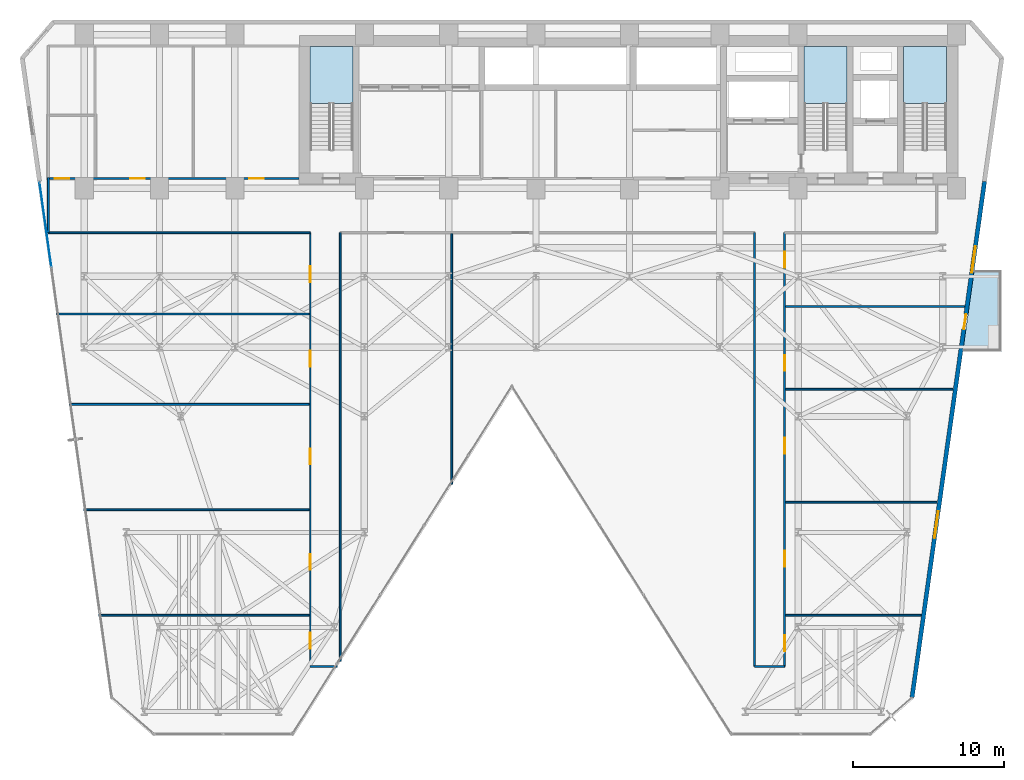
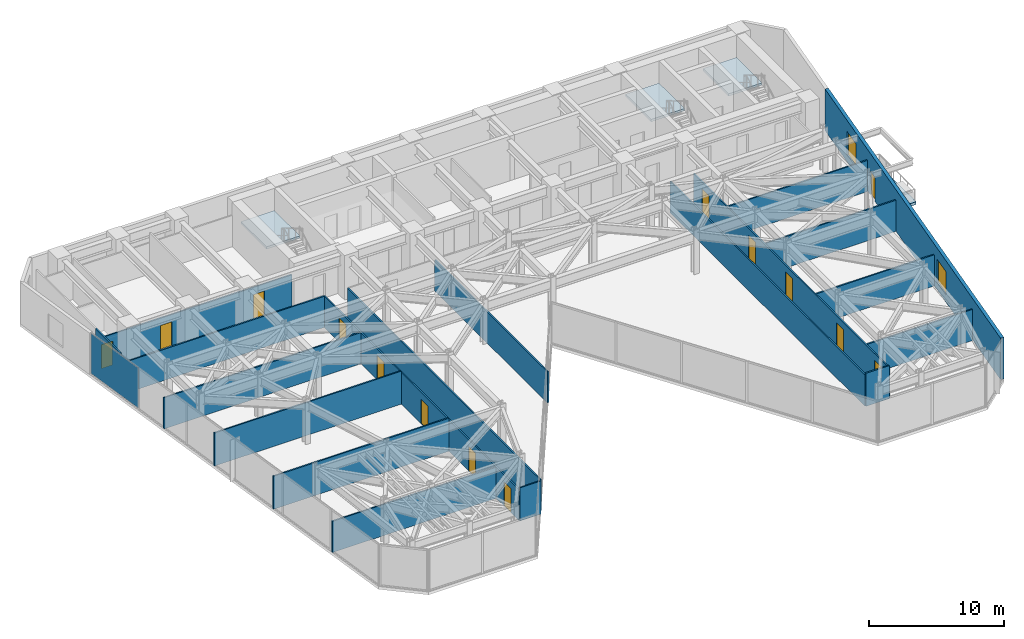
# One storey, part 19 of 25: 19 walls, 14 doors, 4 slabs, 2 windows, 1 plate, 16 openings, 4 elements without a shape of their own.
"""IFC4 building model written with IfcOpenShell, lengths in metres."""

import ifcopenshell
import ifcopenshell.guid

model = None  # the IFC model being written
_history = None  # IfcOwnerHistory: only IFC2X3 demands one
_inside = {}  # id of a spatial element -> (the spatial element, [elements in it])
_under = {}  # id of a project, library or spatial element -> (it, [spatial elements below it])
_declared = {}  # id of a project -> (the project, [libraries it declares])
_typed = {}  # id of a type object -> (the type object, [elements of that type])
_made_of = {}  # id of a material, layer set ... -> (it, [elements and type objects made of it])


def new_model(schema):
    """Start an empty IFC model of exactly this schema.

    Asked for "IFC4X3", IfcOpenShell would pick the latest addendum, in which some entities
    have other attributes; the version numbers below select the first issue.
    IFC2X3 requires an IfcOwnerHistory on every rooted entity: one is made here for all.
    """
    global model, _history
    if schema == "IFC4X3":
        model = ifcopenshell.file(schema_version=(4, 3, 0, 0))
    else:
        model = ifcopenshell.file(schema=schema)
    _inside.clear()
    _under.clear()
    _declared.clear()
    _typed.clear()
    _made_of.clear()
    _history = None
    if model.schema == "IFC2X3":
        org = make("IfcOrganization", Name="unknown")
        user = make(
            "IfcPersonAndOrganization",
            ThePerson=make("IfcPerson", FamilyName="unknown"),
            TheOrganization=org,
        )
        app = make(
            "IfcApplication",
            ApplicationDeveloper=org,
            Version="unknown",
            ApplicationFullName="unknown",
            ApplicationIdentifier="unknown",
        )
        _history = make(
            "IfcOwnerHistory",
            OwningUser=user,
            OwningApplication=app,
            ChangeAction="ADDED",
            CreationDate=0,
        )
    return model


def make(cls, **values):
    """One entity of the class cls with the attributes given. An attribute that is None is left unset."""
    return model.create_entity(
        cls, **{name: value for name, value in values.items() if value is not None}
    )


def rooted(cls, **values):
    """An entity with a GlobalId (a new one), such as an element, a storey or a relation."""
    return make(cls, GlobalId=ifcopenshell.guid.new(), OwnerHistory=_history, **values)


def si_unit(unit_type, name, prefix=None):
    """IfcSIUnit, for example si_unit("LENGTHUNIT", "METRE", prefix="MILLI")."""
    return make("IfcSIUnit", UnitType=unit_type, Prefix=prefix, Name=name)


def assignment(units):
    """IfcUnitAssignment: the units of a project."""
    return None if units is None else make("IfcUnitAssignment", Units=units)


def point(xyz):
    """IfcCartesianPoint."""
    return None if xyz is None else make("IfcCartesianPoint", Coordinates=xyz)


def direction(xyz):
    """IfcDirection."""
    return None if xyz is None else make("IfcDirection", DirectionRatios=xyz)


def frame(location, z_axis=None, x_axis=None):
    """IfcAxis2Placement3D, a coordinate frame: its origin and axes. An axis left out is left unset."""
    return make(
        "IfcAxis2Placement3D",
        Location=point(location),
        Axis=direction(z_axis),
        RefDirection=direction(x_axis),
    )


def frame_2d(location, x_axis=None):
    """IfcAxis2Placement2D, a coordinate frame in the plane: its origin and x axis."""
    return make(
        "IfcAxis2Placement2D", Location=point(location), RefDirection=direction(x_axis)
    )


def origin():
    """The frame at (0, 0, 0) with its axes left unset."""
    return frame((0.0, 0.0, 0.0))


def origin_2d():
    """The frame at (0, 0) in the plane with its x axis left unset."""
    return frame_2d((0.0, 0.0))


def place(relative_to, where):
    """IfcLocalPlacement: puts the frame where relative to a parent placement (None: the world)."""
    return make(
        "IfcLocalPlacement", PlacementRelTo=relative_to, RelativePlacement=where
    )


def context(
    kind, dimensions, precision=None, world=None, true_north=None, identifier=None
):
    """IfcGeometricRepresentationContext, for example the 3D "Model" context."""
    return make(
        "IfcGeometricRepresentationContext",
        ContextIdentifier=identifier,
        ContextType=kind,
        CoordinateSpaceDimension=dimensions,
        Precision=precision,
        WorldCoordinateSystem=world,
        TrueNorth=true_north,
    )


def subcontext(parent, identifier, kind, view, scale=None):
    """IfcGeometricRepresentationSubContext, for example "Body" below "Model"."""
    return make(
        "IfcGeometricRepresentationSubContext",
        ContextIdentifier=identifier,
        ContextType=kind,
        ParentContext=parent,
        TargetScale=scale,
        TargetView=view,
    )


def project(units=None, contexts=None):
    """IfcProject with its units and contexts."""
    return rooted(
        "IfcProject",
        Name="project",
        RepresentationContexts=contexts,
        UnitsInContext=assignment(units),
    )


def spatial(cls, under=None, at=None, **own):
    """A site, building, storey or space (cls), placed at a placement, below another one or the project."""
    s = rooted(cls, ObjectPlacement=at, **own)
    if under is not None:
        _under.setdefault(under.id(), (under, []))[1].append(s)
    return s


def polyline(points):
    """IfcPolyline through the points."""
    return make("IfcPolyline", Points=[point(p) for p in points])


def profile(cls, at=None, kind="AREA", **sizes):
    """A parametric profile (cls). Its sizes go by their IFC names, for example OverallWidth=200.0."""
    return make(cls, ProfileType=kind, Position=at, **sizes)


def rectangle(**sizes):
    """IfcRectangleProfileDef."""
    return profile("IfcRectangleProfileDef", **sizes)


def outline(outer, holes=None, kind="AREA"):
    """IfcArbitraryClosedProfileDef: a profile drawn as a closed curve; with holes, ...WithVoids."""
    if holes is None:
        return make("IfcArbitraryClosedProfileDef", ProfileType=kind, OuterCurve=outer)
    return make(
        "IfcArbitraryProfileDefWithVoids",
        ProfileType=kind,
        OuterCurve=outer,
        InnerCurves=holes,
    )


def extrude(swept, where, along, depth):
    """IfcExtrudedAreaSolid: the profile swept, set in the frame where, extruded along a direction by depth."""
    return make(
        "IfcExtrudedAreaSolid",
        SweptArea=swept,
        Position=where,
        ExtrudedDirection=direction(along),
        Depth=depth,
    )


def shape(context_of_items, identifier, shape_type, items):
    """IfcShapeRepresentation: the items that make up one representation, for example the "Body"."""
    return make(
        "IfcShapeRepresentation",
        ContextOfItems=context_of_items,
        RepresentationIdentifier=identifier,
        RepresentationType=shape_type,
        Items=items,
    )


def material(Name=None, Category=None):
    """IfcMaterial."""
    return make("IfcMaterial", Name=Name, Category=Category)


def layer(
    of_material, thickness, ventilated=None, Name=None, Category=None, Priority=None
):
    """IfcMaterialLayer: one layer of a wall or slab, of a material (None: an air gap)."""
    return make(
        "IfcMaterialLayer",
        Material=of_material,
        LayerThickness=thickness,
        IsVentilated=ventilated,
        Name=Name,
        Category=Category,
        Priority=Priority,
    )


def layer_set(layers, Name=None):
    """IfcMaterialLayerSet."""
    return make("IfcMaterialLayerSet", MaterialLayers=layers, LayerSetName=Name)


def made_of(thing, what):
    """Note that an element or type object is made of a material, layer set ...; save() writes the relation."""
    if what is not None:
        _made_of.setdefault(what.id(), (what, []))[1].append(thing)
    return thing


def type_object(cls, material=None, **own):
    """A type object (cls), such as IfcWallType, which elements share."""
    return made_of(rooted(cls, **own), material)


def element(
    cls,
    number,
    at=None,
    inside=None,
    cuts=None,
    type_object=None,
    material=None,
    context=None,
    identifier="Body",
    shape_type=None,
    held_by="IfcProductDefinitionShape",
    body=None,
    shapes=None,
    **own,
):
    """One element of the class cls, such as IfcWall. Its Tag is "e" and its number.

    at: its placement. inside: the storey or other place that contains it. cuts: it is an
    opening in that element (IfcRelVoidsElement). A single representation is given by context,
    identifier, shape_type and body (its items); several are given by shapes. held_by: the class
    of the entity that holds the representations. save() writes the other relations.
    """
    e = rooted(cls, Tag="e%d" % number, ObjectPlacement=at, **own)
    if body is not None:
        shapes = [shape(context, identifier, shape_type, body)]
    if shapes is not None:
        e.Representation = make(held_by, Representations=shapes)
    if inside is not None:
        _inside.setdefault(inside.id(), (inside, []))[1].append(e)
    if cuts is not None:
        rooted(
            "IfcRelVoidsElement", RelatingBuildingElement=cuts, RelatedOpeningElement=e
        )
    if type_object is not None:
        _typed.setdefault(type_object.id(), (type_object, []))[1].append(e)
    return made_of(e, material)


def fill(opening, filler):
    """IfcRelFillsElement: the door or window that sits in an opening."""
    return rooted(
        "IfcRelFillsElement",
        RelatingOpeningElement=opening,
        RelatedBuildingElement=filler,
    )


def aggregate(whole, parts):
    """IfcRelAggregates: a whole, such as a stair, and the parts it consists of."""
    return rooted("IfcRelAggregates", RelatingObject=whole, RelatedObjects=parts)


def save(model, path):
    """Write the relations noted so far, then the file.

    IfcRelAggregates (storeys below a building ...), IfcRelContainedInSpatialStructure (elements
    in a storey), IfcRelDefinesByType, IfcRelAssociatesMaterial and IfcRelDeclares: one each for
    every whole, place, type object, material and project.
    """
    for whole, parts in _under.values():
        aggregate(whole, parts)
    for where, things in _inside.values():
        rooted(
            "IfcRelContainedInSpatialStructure",
            RelatedElements=things,
            RelatingStructure=where,
        )
    for kind, things in _typed.values():
        rooted("IfcRelDefinesByType", RelatedObjects=things, RelatingType=kind)
    for what, things in _made_of.values():
        rooted("IfcRelAssociatesMaterial", RelatedObjects=things, RelatingMaterial=what)
    for by, libraries in _declared.values():
        rooted("IfcRelDeclares", RelatingContext=by, RelatedDefinitions=libraries)
    model.write(path)


model = new_model("IFC4")

# Units and contexts
model_context = context("Model", 3, precision=1e-05, world=origin(), true_north=direction((0.0, 1.0)))
body_context = subcontext(model_context, "Body", "Model", "MODEL_VIEW")
ifc_project = project(units=[si_unit("LENGTHUNIT", "METRE"), si_unit("AREAUNIT", "SQUARE_METRE"), si_unit("VOLUMEUNIT", "CUBIC_METRE"), si_unit("PLANEANGLEUNIT", "RADIAN"), si_unit("MASSUNIT", "GRAM", prefix="KILO")], contexts=[model_context])

# Site, building, storey
site_placement = place(None, origin())
site = spatial("IfcSite", under=ifc_project, at=site_placement, CompositionType="ELEMENT")
building_placement = place(site_placement, origin())
building = spatial("IfcBuilding", under=site, at=building_placement, Name="Kravanh Interchange Tower", CompositionType="ELEMENT")
storey_placement = place(building_placement, frame((0.0, 0.0, 65.5)))
storey = spatial("IfcBuildingStorey", under=building, at=storey_placement, Name="L15", CompositionType="ELEMENT", Elevation=65.5)

# Stair, slab
ifc_material_1 = material(Name="Concrete C50/60", Category="concrete")
stair_type = type_object("IfcStairType", Name="Core Fire Exit Dogleg Stair Concrete C50/60", PredefinedType="HALF_TURN_STAIR", material=ifc_material_1)
stair_1_placement = place(storey_placement, origin())
stair_1 = element("IfcStair", 1, at=stair_1_placement, inside=storey, type_object=stair_type, Name="L15 Exit Stair ST1", PredefinedType="HALF_TURN_STAIR")
ifc_material_2 = material(Name="Concrete C50/60", Category="concrete")
ifc_layer_1 = layer(ifc_material_2, 0.199951171875)
ifc_layer_set_1 = layer_set([ifc_layer_1], Name="Concrete C50/60 Stair Half-Landing Slab 200mm")
slab_type_1 = type_object("IfcSlabType", Name="Concrete C50/60 Stair Half-Landing Slab 200mm", PredefinedType="LANDING", material=ifc_layer_set_1)
slab_1_placement = place(storey_placement, frame((0.0, 0.0, 1.800048828125)))
slab_1 = element("IfcSlab", 2, at=slab_1_placement, type_object=slab_type_1, Name="ST1 landing 1", PredefinedType="LANDING", context=body_context, shape_type="SweptSolid", body=[
    extrude(outline(polyline([(65.85009765625, 42.97998046875), (65.85009765625, 46.75), (63.0, 46.75), (63.0, 42.97998046875), (65.85009765625, 42.97998046875)])), origin(), (0.0, 0.0, 1.0), 0.199951171875),
])
aggregate(stair_1, [slab_1])

stair_2_placement = place(storey_placement, origin())
stair_2 = element("IfcStair", 3, at=stair_2_placement, inside=storey, type_object=stair_type, Name="L15 Exit Stair ST2", PredefinedType="HALF_TURN_STAIR")
slab_2_placement = place(storey_placement, frame((0.0, 0.0, 1.800048828125)))
slab_2 = element("IfcSlab", 4, at=slab_2_placement, type_object=slab_type_1, Name="ST2 landing 1", PredefinedType="LANDING", context=body_context, shape_type="SweptSolid", body=[
    extrude(outline(polyline([(59.25, 42.97998046875), (59.25, 46.75), (56.39990234375, 46.75), (56.39990234375, 42.97998046875), (59.25, 42.97998046875)])), origin(), (0.0, 0.0, 1.0), 0.199951171875),
])
aggregate(stair_2, [slab_2])

stair_3_placement = place(storey_placement, origin())
stair_3 = element("IfcStair", 5, at=stair_3_placement, inside=storey, type_object=stair_type, Name="L15 Exit Stair ST3", PredefinedType="HALF_TURN_STAIR")
slab_3_placement = place(storey_placement, frame((0.0, 0.0, 1.800048828125)))
slab_3 = element("IfcSlab", 6, at=slab_3_placement, type_object=slab_type_1, Name="ST3 landing 1", PredefinedType="LANDING", context=body_context, shape_type="SweptSolid", body=[
    extrude(outline(polyline([(26.449951171875, 42.97998046875), (26.449951171875, 46.75), (23.60009765625, 46.75), (23.60009765625, 42.97998046875), (26.449951171875, 42.97998046875)])), origin(), (0.0, 0.0, 1.0), 0.199951171875),
])
aggregate(stair_3, [slab_3])

# Slab
ifc_material_3 = material(Name="Concrete C50/60", Category="concrete")
ifc_layer_2 = layer(ifc_material_3, 0.199951171875)
ifc_layer_set_2 = layer_set([ifc_layer_2], Name="Planted Tree Balcony Slab Concrete C50/60 200mm")
slab_type_2 = type_object("IfcSlabType", Name="Planted Tree Balcony Slab Concrete C50/60 200mm", PredefinedType="USERDEFINED", material=ifc_layer_set_2)
slab_4_placement = place(storey_placement, frame((0.0, 0.0, -0.260009765625)))
element("IfcSlab", 7, at=slab_4_placement, inside=storey, type_object=slab_type_2, Name="L15 East Tree Planter Balcony Slab", ObjectType="BALCONY", PredefinedType="USERDEFINED", context=body_context, shape_type="SweptSolid", body=[
    extrude(outline(polyline([(69.489990234375, 31.909912109375), (69.489990234375, 26.510009765625), (66.9248046875, 26.510009765625), (67.68359375, 31.909912109375), (69.489990234375, 31.909912109375)])), origin(), (0.0, 0.0, 1.0), 0.260009765625),
])

# Curtain wall, plate
ifc_material_4 = material(Name="Anodised Bronze Aluminium", Category="aluminium")
ifc_layer_3 = layer(ifc_material_4, 0.179931640625)
ifc_layer_set_3 = layer_set([ifc_layer_3], Name="Unitised Curtain Wall System CW-Z1 Lower Office")
curtain_wall_type = type_object("IfcCurtainWallType", Name="Unitised Curtain Wall System CW-Z1 Lower Office", PredefinedType="NOTDEFINED", material=ifc_layer_set_3)
curtain_wall_placement = place(storey_placement, origin())
curtain_wall = element("IfcCurtainWall", 8, at=curtain_wall_placement, inside=storey, type_object=curtain_wall_type, Name="L15 Unitised Curtain Wall CW-L15-01", PredefinedType="NOTDEFINED")
ifc_material_5 = material(Name="Low-E Laminated Architectural Glass", Category="glass")
ifc_layer_4 = layer(ifc_material_5, 0.028076171875)
ifc_layer_set_4 = layer_set([ifc_layer_4], Name="Solar-Control Double Glazing 28mm")
plate_type = type_object("IfcPlateType", Name="Solar-Control Double Glazing 28mm", PredefinedType="CURTAIN_PANEL", material=ifc_layer_set_4)
plate_placement = place(storey_placement, frame((6.028564453125, 34.927490234375, 0.06005859375), z_axis=(0.0, 0.0, 1.0), x_axis=(-0.139176538065, 0.990267585682, 0.0)))
plate = element("IfcPlate", 9, at=plate_placement, type_object=plate_type, Name="CW-Z1 panel 6.1", PredefinedType="CURTAIN_PANEL", context=body_context, shape_type="SweptSolid", body=[
    extrude(rectangle(XDim=5.66162109375, YDim=0.028076171875, at=origin_2d()), origin(), (0.0, 0.0, 1.0), 3.6201171875),
])
aggregate(curtain_wall, [plate])

# Wall, openings, doors
ifc_material_6 = material(Name="Double Acoustic Gypsum Board and Mineral Wool")
ifc_layer_5 = layer(ifc_material_6, 0.1201171875)
ifc_layer_set_5 = layer_set([ifc_layer_5], Name="Acoustic Office Drywall Partition 120mm")
wall_type_1 = type_object("IfcWallType", Name="Acoustic Office Drywall Partition 120mm", PredefinedType="PARTITIONING", material=ifc_layer_set_5)
wall_1_placement = place(storey_placement, frame((6.219970703125, 38.0, 0.0), z_axis=(0.0, 0.0, 1.0), x_axis=(1.0, 0.0, 0.0)))
wall_1 = element("IfcWall", 10, at=wall_1_placement, inside=storey, type_object=wall_type_1, Name="L15 Restroom Corridor Wall 7", PredefinedType="PARTITIONING", context=body_context, shape_type="SweptSolid", body=[
    extrude(rectangle(XDim=16.630126953125, YDim=0.1201171875, at=frame_2d((8.31494140625, 0.0))), origin(), (0.0, 0.0, 1.0), 2.81298828125),
])
opening_1_placement = place(wall_1_placement, frame((0.424072265625, 0.0, 0.0)))
opening_1 = element("IfcOpeningElement", 11, at=opening_1_placement, cuts=wall_1, Name="Opening D-95", PredefinedType="OPENING", context=body_context, shape_type="SweptSolid", body=[
    extrude(rectangle(XDim=0.949951171875, YDim=2.14990234375, at=frame_2d((0.47509765625, 1.074951171875))), frame((0.0, 0.070068359375, 0.0), z_axis=(0.0, -1.0, 0.0), x_axis=(1.0, 0.0, 0.0)), (0.0, 0.0, 1.0), 0.14013671875),
])
opening_2_placement = place(wall_1_placement, frame((5.444091796875, 0.0, 0.0)))
opening_2 = element("IfcOpeningElement", 12, at=opening_2_placement, cuts=wall_1, Name="Opening D-95", PredefinedType="OPENING", context=body_context, shape_type="SweptSolid", body=[
    extrude(rectangle(XDim=0.949951171875, YDim=2.14990234375, at=frame_2d((0.47509765625, 1.074951171875))), frame((0.0, 0.070068359375, 0.0), z_axis=(0.0, -1.0, 0.0), x_axis=(1.0, 0.0, 0.0)), (0.0, 0.0, 1.0), 0.14013671875),
])
opening_3_placement = place(wall_1_placement, frame((13.343994140625, 0.0, 0.0)))
opening_3 = element("IfcOpeningElement", 13, at=opening_3_placement, cuts=wall_1, Name="Opening D-95", PredefinedType="OPENING", context=body_context, shape_type="SweptSolid", body=[
    extrude(rectangle(XDim=0.949951171875, YDim=2.14990234375, at=frame_2d((0.47509765625, 1.074951171875))), frame((0.0, 0.070068359375, 0.0), z_axis=(0.0, -1.0, 0.0), x_axis=(1.0, 0.0, 0.0)), (0.0, 0.0, 1.0), 0.14013671875),
])
ifc_material_7 = material(Name="Laminate Solid-Core Timber", Category="wood")
door_type_1 = type_object("IfcDoorType", Name="Accessible Restroom Door 950x2150", OperationType="NOTDEFINED", PredefinedType="DOOR", material=ifc_material_7)
door_1_placement = place(opening_1_placement, origin())
door_1 = element("IfcDoor", 14, at=door_1_placement, inside=storey, type_object=door_type_1, Name="L15 Accessible WC Door", OperationType="SINGLE_SWING_LEFT", OverallHeight=2.14990234375, OverallWidth=0.949951171875, PredefinedType="DOOR", context=body_context, shape_type="SweptSolid", body=[
    extrude(rectangle(XDim=0.949951171875, YDim=2.14990234375, at=frame_2d((0.47509765625, 1.074951171875))), frame((0.0, 0.02490234375, 0.0), z_axis=(0.0, -1.0, 0.0), x_axis=(1.0, 0.0, 0.0)), (0.0, 0.0, 1.0), 0.050048828125),
])
fill(opening_1, door_1)
door_2_placement = place(opening_2_placement, origin())
door_2 = element("IfcDoor", 15, at=door_2_placement, inside=storey, type_object=door_type_1, Name="L15 Female WC Door", OperationType="SINGLE_SWING_RIGHT", OverallHeight=2.14990234375, OverallWidth=0.949951171875, PredefinedType="DOOR", context=body_context, shape_type="SweptSolid", body=[
    extrude(rectangle(XDim=0.949951171875, YDim=2.14990234375, at=frame_2d((0.47509765625, 1.074951171875))), frame((0.0, 0.02490234375, 0.0), z_axis=(0.0, -1.0, 0.0), x_axis=(1.0, 0.0, 0.0)), (0.0, 0.0, 1.0), 0.050048828125),
])
fill(opening_2, door_2)
door_3_placement = place(opening_3_placement, origin())
door_3 = element("IfcDoor", 16, at=door_3_placement, inside=storey, type_object=door_type_1, Name="L15 Male WC Door", OperationType="SINGLE_SWING_LEFT", OverallHeight=2.14990234375, OverallWidth=0.949951171875, PredefinedType="DOOR", context=body_context, shape_type="SweptSolid", body=[
    extrude(rectangle(XDim=0.949951171875, YDim=2.14990234375, at=frame_2d((0.47509765625, 1.074951171875))), frame((0.0, 0.02490234375, 0.0), z_axis=(0.0, -1.0, 0.0), x_axis=(1.0, 0.0, 0.0)), (0.0, 0.0, 1.0), 0.050048828125),
])
fill(opening_3, door_3)

# Walls
wall_2_placement = place(storey_placement, frame((6.219970703125, 34.39990234375, 0.0), z_axis=(0.0, 0.0, 1.0), x_axis=(1.0, 0.0, 0.0)))
element("IfcWall", 17, at=wall_2_placement, inside=storey, type_object=wall_type_1, Name="L15 Interior Partition 13", PredefinedType="PARTITIONING", context=body_context, shape_type="SweptSolid", body=[
    extrude(rectangle(XDim=17.380126953125, YDim=0.1201171875, at=frame_2d((8.68994140625, 0.0))), origin(), (0.0, 0.0, 1.0), 2.81298828125),
])
wall_3_placement = place(storey_placement, frame((6.219970703125, 34.39990234375, 0.0), z_axis=(0.0, 0.0, 1.0), x_axis=(0.0, 1.0, 0.0)))
element("IfcWall", 18, at=wall_3_placement, inside=storey, type_object=wall_type_1, Name="L15 Interior Partition 16", PredefinedType="PARTITIONING", context=body_context, shape_type="SweptSolid", body=[
    extrude(rectangle(XDim=3.650146484375, YDim=0.1201171875, at=frame_2d((1.8251953125, 0.0))), origin(), (0.0, 0.0, 1.0), 3.739990234375),
])

# Wall, openings, doors
wall_4_placement = place(storey_placement, frame((23.60009765625, 5.60009765625, 0.0), z_axis=(0.0, 0.0, 1.0), x_axis=(0.0, 1.0, 0.0)))
wall_4 = element("IfcWall", 19, at=wall_4_placement, inside=storey, type_object=wall_type_1, Name="L15 Interior Partition 18", PredefinedType="PARTITIONING", context=body_context, shape_type="SweptSolid", body=[
    extrude(rectangle(XDim=28.7998046875, YDim=0.1201171875, at=frame_2d((14.39990234375, 0.0))), origin(), (0.0, 0.0, 1.0), 2.81298828125),
])
opening_4_placement = place(wall_4_placement, frame((1.175048828125, 0.0, 0.0)))
opening_4 = element("IfcOpeningElement", 20, at=opening_4_placement, cuts=wall_4, Name="Opening D-105", PredefinedType="OPENING", context=body_context, shape_type="SweptSolid", body=[
    extrude(rectangle(XDim=1.050048828125, YDim=2.199951171875, at=frame_2d((0.52490234375, 1.10009765625))), frame((0.0, 0.070068359375, 0.0), z_axis=(0.0, -1.0, 0.0), x_axis=(1.0, 0.0, 0.0)), (0.0, 0.0, 1.0), 0.14013671875),
])
opening_5_placement = place(wall_4_placement, frame((6.41552734375, 0.0, 0.0)))
opening_5 = element("IfcOpeningElement", 21, at=opening_5_placement, cuts=wall_4, Name="Opening D-105", PredefinedType="OPENING", context=body_context, shape_type="SweptSolid", body=[
    extrude(rectangle(XDim=1.050048828125, YDim=2.199951171875, at=frame_2d((0.52490234375, 1.10009765625))), frame((0.0, 0.070068359375, 0.0), z_axis=(0.0, -1.0, 0.0), x_axis=(1.0, 0.0, 0.0)), (0.0, 0.0, 1.0), 0.14013671875),
])
opening_6_placement = place(wall_4_placement, frame((13.41552734375, 0.0, 0.0)))
opening_6 = element("IfcOpeningElement", 22, at=opening_6_placement, cuts=wall_4, Name="Opening D-105", PredefinedType="OPENING", context=body_context, shape_type="SweptSolid", body=[
    extrude(rectangle(XDim=1.050048828125, YDim=2.199951171875, at=frame_2d((0.52490234375, 1.10009765625))), frame((0.0, 0.070068359375, 0.0), z_axis=(0.0, -1.0, 0.0), x_axis=(1.0, 0.0, 0.0)), (0.0, 0.0, 1.0), 0.14013671875),
])
opening_7_placement = place(wall_4_placement, frame((19.915283203125, 0.0, 0.0)))
opening_7 = element("IfcOpeningElement", 23, at=opening_7_placement, cuts=wall_4, Name="Opening D-105", PredefinedType="OPENING", context=body_context, shape_type="SweptSolid", body=[
    extrude(rectangle(XDim=1.050048828125, YDim=2.199951171875, at=frame_2d((0.52490234375, 1.10009765625))), frame((0.0, 0.070068359375, 0.0), z_axis=(0.0, -1.0, 0.0), x_axis=(1.0, 0.0, 0.0)), (0.0, 0.0, 1.0), 0.14013671875),
])
opening_8_placement = place(wall_4_placement, frame((25.509765625, 0.0, 0.0)))
opening_8 = element("IfcOpeningElement", 24, at=opening_8_placement, cuts=wall_4, Name="Opening D-105", PredefinedType="OPENING", context=body_context, shape_type="SweptSolid", body=[
    extrude(rectangle(XDim=1.050048828125, YDim=2.199951171875, at=frame_2d((0.52490234375, 1.10009765625))), frame((0.0, 0.070068359375, 0.0), z_axis=(0.0, -1.0, 0.0), x_axis=(1.0, 0.0, 0.0)), (0.0, 0.0, 1.0), 0.14013671875),
])
ifc_material_8 = material(Name="Acoustic Glazed Oak and Aluminium", Category="aluminium")
door_type_2 = type_object("IfcDoorType", Name="Office Workplace Door 1050x2200", OperationType="NOTDEFINED", PredefinedType="DOOR", material=ifc_material_8)
door_4_placement = place(opening_4_placement, origin())
door_4 = element("IfcDoor", 25, at=door_4_placement, inside=storey, type_object=door_type_2, Name="L15 Office W1 Door", OperationType="SINGLE_SWING_RIGHT", OverallHeight=2.199951171875, OverallWidth=1.050048828125, PredefinedType="DOOR", context=body_context, shape_type="SweptSolid", body=[
    extrude(rectangle(XDim=1.050048828125, YDim=2.199951171875, at=frame_2d((0.52490234375, 1.10009765625))), frame((0.0, 0.02490234375, 0.0), z_axis=(0.0, -1.0, 0.0), x_axis=(1.0, 0.0, 0.0)), (0.0, 0.0, 1.0), 0.050048828125),
])
fill(opening_4, door_4)
door_5_placement = place(opening_5_placement, origin())
door_5 = element("IfcDoor", 26, at=door_5_placement, inside=storey, type_object=door_type_2, Name="L15 Office W2 Door", OperationType="SINGLE_SWING_LEFT", OverallHeight=2.199951171875, OverallWidth=1.050048828125, PredefinedType="DOOR", context=body_context, shape_type="SweptSolid", body=[
    extrude(rectangle(XDim=1.050048828125, YDim=2.199951171875, at=frame_2d((0.52490234375, 1.10009765625))), frame((0.0, 0.02490234375, 0.0), z_axis=(0.0, -1.0, 0.0), x_axis=(1.0, 0.0, 0.0)), (0.0, 0.0, 1.0), 0.050048828125),
])
fill(opening_5, door_5)
door_6_placement = place(opening_6_placement, origin())
door_6 = element("IfcDoor", 27, at=door_6_placement, inside=storey, type_object=door_type_2, Name="L15 Office W3 Door", OperationType="SINGLE_SWING_RIGHT", OverallHeight=2.199951171875, OverallWidth=1.050048828125, PredefinedType="DOOR", context=body_context, shape_type="SweptSolid", body=[
    extrude(rectangle(XDim=1.050048828125, YDim=2.199951171875, at=frame_2d((0.52490234375, 1.10009765625))), frame((0.0, 0.02490234375, 0.0), z_axis=(0.0, -1.0, 0.0), x_axis=(1.0, 0.0, 0.0)), (0.0, 0.0, 1.0), 0.050048828125),
])
fill(opening_6, door_6)
door_7_placement = place(opening_7_placement, origin())
door_7 = element("IfcDoor", 28, at=door_7_placement, inside=storey, type_object=door_type_2, Name="L15 West Balcony Office W4 Door", OperationType="SINGLE_SWING_LEFT", OverallHeight=2.199951171875, OverallWidth=1.050048828125, PredefinedType="DOOR", context=body_context, shape_type="SweptSolid", body=[
    extrude(rectangle(XDim=1.050048828125, YDim=2.199951171875, at=frame_2d((0.52490234375, 1.10009765625))), frame((0.0, 0.02490234375, 0.0), z_axis=(0.0, -1.0, 0.0), x_axis=(1.0, 0.0, 0.0)), (0.0, 0.0, 1.0), 0.050048828125),
])
fill(opening_7, door_7)
door_8_placement = place(opening_8_placement, origin())
door_8 = element("IfcDoor", 29, at=door_8_placement, inside=storey, type_object=door_type_2, Name="L15 Office W5 Door", OperationType="SINGLE_SWING_RIGHT", OverallHeight=2.199951171875, OverallWidth=1.050048828125, PredefinedType="DOOR", context=body_context, shape_type="SweptSolid", body=[
    extrude(rectangle(XDim=1.050048828125, YDim=2.199951171875, at=frame_2d((0.52490234375, 1.10009765625))), frame((0.0, 0.02490234375, 0.0), z_axis=(0.0, -1.0, 0.0), x_axis=(1.0, 0.0, 0.0)), (0.0, 0.0, 1.0), 0.050048828125),
])
fill(opening_8, door_8)

# Walls
wall_5_placement = place(storey_placement, frame((25.60009765625, 5.9453125, 0.0), z_axis=(0.0, 0.0, 1.0), x_axis=(0.0, 1.0, 0.0)))
element("IfcWall", 30, at=wall_5_placement, inside=storey, type_object=wall_type_1, Name="L15 Interior Partition 19", PredefinedType="PARTITIONING", context=body_context, shape_type="SweptSolid", body=[
    extrude(rectangle(XDim=28.45458984375, YDim=0.1201171875, at=frame_2d((14.227294921875, 0.0))), origin(), (0.0, 0.0, 1.0), 2.81298828125),
])
wall_6_placement = place(storey_placement, frame((23.60009765625, 5.60009765625, 0.0), z_axis=(0.0, 0.0, 1.0), x_axis=(1.0, 0.0, 0.0)))
element("IfcWall", 31, at=wall_6_placement, inside=storey, type_object=wall_type_1, Name="L15 Interior Partition 20", PredefinedType="PARTITIONING", context=body_context, shape_type="SweptSolid", body=[
    extrude(rectangle(XDim=1.7822265625, YDim=0.1201171875, at=frame_2d((0.89111328125, 0.0))), origin(), (0.0, 0.0, 1.0), 2.97802734375),
])
wall_7_placement = place(storey_placement, frame((53.10009765625, 5.60009765625, 0.0), z_axis=(0.0, 0.0, 1.0), x_axis=(0.0, 1.0, 0.0)))
element("IfcWall", 32, at=wall_7_placement, inside=storey, type_object=wall_type_1, Name="L15 Interior Partition 21", PredefinedType="PARTITIONING", context=body_context, shape_type="SweptSolid", body=[
    extrude(rectangle(XDim=28.7998046875, YDim=0.1201171875, at=frame_2d((14.39990234375, 0.0))), origin(), (0.0, 0.0, 1.0), 2.81298828125),
])

# Wall, openings, doors
wall_8_placement = place(storey_placement, frame((55.10009765625, 5.60009765625, 0.0), z_axis=(0.0, 0.0, 1.0), x_axis=(0.0, 1.0, 0.0)))
wall_8 = element("IfcWall", 33, at=wall_8_placement, inside=storey, type_object=wall_type_1, Name="L15 Interior Partition 22", PredefinedType="PARTITIONING", context=body_context, shape_type="SweptSolid", body=[
    extrude(rectangle(XDim=28.7998046875, YDim=0.1201171875, at=frame_2d((14.39990234375, 0.0))), origin(), (0.0, 0.0, 1.0), 2.81298828125),
])
opening_9_placement = place(wall_8_placement, frame((1.00927734375, 0.0, 0.0)))
opening_9 = element("IfcOpeningElement", 34, at=opening_9_placement, cuts=wall_8, Name="Opening D-105", PredefinedType="OPENING", context=body_context, shape_type="SweptSolid", body=[
    extrude(rectangle(XDim=1.050048828125, YDim=2.199951171875, at=frame_2d((0.52490234375, 1.10009765625))), frame((0.0, 0.070068359375, 0.0), z_axis=(0.0, -1.0, 0.0), x_axis=(1.0, 0.0, 0.0)), (0.0, 0.0, 1.0), 0.14013671875),
])
opening_10_placement = place(wall_8_placement, frame((6.625, 0.0, 0.0)))
opening_10 = element("IfcOpeningElement", 35, at=opening_10_placement, cuts=wall_8, Name="Opening D-105", PredefinedType="OPENING", context=body_context, shape_type="SweptSolid", body=[
    extrude(rectangle(XDim=1.050048828125, YDim=2.199951171875, at=frame_2d((0.52490234375, 1.10009765625))), frame((0.0, 0.070068359375, 0.0), z_axis=(0.0, -1.0, 0.0), x_axis=(1.0, 0.0, 0.0)), (0.0, 0.0, 1.0), 0.14013671875),
])
opening_11_placement = place(wall_8_placement, frame((14.125, 0.0, 0.0)))
opening_11 = element("IfcOpeningElement", 36, at=opening_11_placement, cuts=wall_8, Name="Opening D-105", PredefinedType="OPENING", context=body_context, shape_type="SweptSolid", body=[
    extrude(rectangle(XDim=1.050048828125, YDim=2.199951171875, at=frame_2d((0.52490234375, 1.10009765625))), frame((0.0, 0.070068359375, 0.0), z_axis=(0.0, -1.0, 0.0), x_axis=(1.0, 0.0, 0.0)), (0.0, 0.0, 1.0), 0.14013671875),
])
opening_12_placement = place(wall_8_placement, frame((19.62255859375, 0.0, 0.0)))
opening_12 = element("IfcOpeningElement", 37, at=opening_12_placement, cuts=wall_8, Name="Opening D-105", PredefinedType="OPENING", context=body_context, shape_type="SweptSolid", body=[
    extrude(rectangle(XDim=1.050048828125, YDim=2.199951171875, at=frame_2d((0.52490234375, 1.10009765625))), frame((0.0, 0.070068359375, 0.0), z_axis=(0.0, -1.0, 0.0), x_axis=(1.0, 0.0, 0.0)), (0.0, 0.0, 1.0), 0.14013671875),
])
opening_13_placement = place(wall_8_placement, frame((26.47998046875, 0.0, 0.0)))
opening_13 = element("IfcOpeningElement", 38, at=opening_13_placement, cuts=wall_8, Name="Opening D-105", PredefinedType="OPENING", context=body_context, shape_type="SweptSolid", body=[
    extrude(rectangle(XDim=1.050048828125, YDim=2.199951171875, at=frame_2d((0.52490234375, 1.10009765625))), frame((0.0, 0.070068359375, 0.0), z_axis=(0.0, -1.0, 0.0), x_axis=(1.0, 0.0, 0.0)), (0.0, 0.0, 1.0), 0.14013671875),
])
door_9_placement = place(opening_9_placement, origin())
door_9 = element("IfcDoor", 39, at=door_9_placement, inside=storey, type_object=door_type_2, Name="L15 Office E1 Door", OperationType="SINGLE_SWING_LEFT", OverallHeight=2.199951171875, OverallWidth=1.050048828125, PredefinedType="DOOR", context=body_context, shape_type="SweptSolid", body=[
    extrude(rectangle(XDim=1.050048828125, YDim=2.199951171875, at=frame_2d((0.52490234375, 1.10009765625))), frame((0.0, 0.02490234375, 0.0), z_axis=(0.0, -1.0, 0.0), x_axis=(1.0, 0.0, 0.0)), (0.0, 0.0, 1.0), 0.050048828125),
])
fill(opening_9, door_9)
door_10_placement = place(opening_10_placement, origin())
door_10 = element("IfcDoor", 40, at=door_10_placement, inside=storey, type_object=door_type_2, Name="L15 Office E2 Door", OperationType="SINGLE_SWING_RIGHT", OverallHeight=2.199951171875, OverallWidth=1.050048828125, PredefinedType="DOOR", context=body_context, shape_type="SweptSolid", body=[
    extrude(rectangle(XDim=1.050048828125, YDim=2.199951171875, at=frame_2d((0.52490234375, 1.10009765625))), frame((0.0, 0.02490234375, 0.0), z_axis=(0.0, -1.0, 0.0), x_axis=(1.0, 0.0, 0.0)), (0.0, 0.0, 1.0), 0.050048828125),
])
fill(opening_10, door_10)
door_11_placement = place(opening_11_placement, origin())
door_11 = element("IfcDoor", 41, at=door_11_placement, inside=storey, type_object=door_type_2, Name="L15 Office E3 Door", OperationType="SINGLE_SWING_LEFT", OverallHeight=2.199951171875, OverallWidth=1.050048828125, PredefinedType="DOOR", context=body_context, shape_type="SweptSolid", body=[
    extrude(rectangle(XDim=1.050048828125, YDim=2.199951171875, at=frame_2d((0.52490234375, 1.10009765625))), frame((0.0, 0.02490234375, 0.0), z_axis=(0.0, -1.0, 0.0), x_axis=(1.0, 0.0, 0.0)), (0.0, 0.0, 1.0), 0.050048828125),
])
fill(opening_11, door_11)
door_12_placement = place(opening_12_placement, origin())
door_12 = element("IfcDoor", 42, at=door_12_placement, inside=storey, type_object=door_type_2, Name="L15 East Balcony Meeting Door", OperationType="SINGLE_SWING_RIGHT", OverallHeight=2.199951171875, OverallWidth=1.050048828125, PredefinedType="DOOR", context=body_context, shape_type="SweptSolid", body=[
    extrude(rectangle(XDim=1.050048828125, YDim=2.199951171875, at=frame_2d((0.52490234375, 1.10009765625))), frame((0.0, 0.02490234375, 0.0), z_axis=(0.0, -1.0, 0.0), x_axis=(1.0, 0.0, 0.0)), (0.0, 0.0, 1.0), 0.050048828125),
])
fill(opening_12, door_12)
door_13_placement = place(opening_13_placement, origin())
door_13 = element("IfcDoor", 43, at=door_13_placement, inside=storey, type_object=door_type_2, Name="L15 Meeting Room NE Door", OperationType="SINGLE_SWING_LEFT", OverallHeight=2.199951171875, OverallWidth=1.050048828125, PredefinedType="DOOR", context=body_context, shape_type="SweptSolid", body=[
    extrude(rectangle(XDim=1.050048828125, YDim=2.199951171875, at=frame_2d((0.52490234375, 1.10009765625))), frame((0.0, 0.02490234375, 0.0), z_axis=(0.0, -1.0, 0.0), x_axis=(1.0, 0.0, 0.0)), (0.0, 0.0, 1.0), 0.050048828125),
])
fill(opening_13, door_13)

# Walls
wall_9_placement = place(storey_placement, frame((53.10009765625, 5.60009765625, 0.0), z_axis=(0.0, 0.0, 1.0), x_axis=(1.0, 0.0, 0.0)))
element("IfcWall", 44, at=wall_9_placement, inside=storey, type_object=wall_type_1, Name="L15 Interior Partition 23", PredefinedType="PARTITIONING", context=body_context, shape_type="SweptSolid", body=[
    extrude(rectangle(XDim=2.0, YDim=0.1201171875, at=frame_2d((1.0, 0.0))), origin(), (0.0, 0.0, 1.0), 2.97802734375),
])
wall_10_placement = place(storey_placement, frame((9.56640625, 9.0, 0.0), z_axis=(0.0, 0.0, 1.0), x_axis=(1.0, 0.0, 0.0)))
element("IfcWall", 45, at=wall_10_placement, inside=storey, type_object=wall_type_1, Name="L15 Interior Partition 24", PredefinedType="PARTITIONING", context=body_context, shape_type="SweptSolid", body=[
    extrude(rectangle(XDim=13.965576171875, YDim=0.1201171875, at=frame_2d((6.98291015625, 0.0))), origin(), (0.0, 0.0, 1.0), 2.81298828125),
])
wall_11_placement = place(storey_placement, frame((8.582763671875, 16.0, 0.0), z_axis=(0.0, 0.0, 1.0), x_axis=(1.0, 0.0, 0.0)))
element("IfcWall", 46, at=wall_11_placement, inside=storey, type_object=wall_type_1, Name="L15 Interior Partition 25", PredefinedType="PARTITIONING", context=body_context, shape_type="SweptSolid", body=[
    extrude(rectangle(XDim=14.94921875, YDim=0.1201171875, at=frame_2d((7.474609375, 0.0))), origin(), (0.0, 0.0, 1.0), 2.97802734375),
])
wall_12_placement = place(storey_placement, frame((7.598876953125, 23.0, 0.0), z_axis=(0.0, 0.0, 1.0), x_axis=(1.0, 0.0, 0.0)))
element("IfcWall", 47, at=wall_12_placement, inside=storey, type_object=wall_type_1, Name="L15 Interior Partition 26", PredefinedType="PARTITIONING", context=body_context, shape_type="SweptSolid", body=[
    extrude(rectangle(XDim=15.93310546875, YDim=0.1201171875, at=frame_2d((7.966552734375, 0.0))), origin(), (0.0, 0.0, 1.0), 2.97802734375),
])
wall_13_placement = place(storey_placement, frame((6.755615234375, 29.0, 0.0), z_axis=(0.0, 0.0, 1.0), x_axis=(1.0, 0.0, 0.0)))
element("IfcWall", 48, at=wall_13_placement, inside=storey, type_object=wall_type_1, Name="L15 Interior Partition 27", PredefinedType="PARTITIONING", context=body_context, shape_type="SweptSolid", body=[
    extrude(rectangle(XDim=16.7763671875, YDim=0.1201171875, at=frame_2d((8.38818359375, 0.0))), origin(), (0.0, 0.0, 1.0), 2.81298828125),
])
wall_14_placement = place(storey_placement, frame((55.16796875, 9.0, 0.0), z_axis=(0.0, 0.0, 1.0), x_axis=(1.0, 0.0, 0.0)))
element("IfcWall", 49, at=wall_14_placement, inside=storey, type_object=wall_type_1, Name="L15 Interior Partition 28", PredefinedType="PARTITIONING", context=body_context, shape_type="SweptSolid", body=[
    extrude(rectangle(XDim=8.992919921875, YDim=0.1201171875, at=frame_2d((4.49658203125, 0.0))), origin(), (0.0, 0.0, 1.0), 2.81298828125),
])
wall_15_placement = place(storey_placement, frame((55.16796875, 16.5, 0.0), z_axis=(0.0, 0.0, 1.0), x_axis=(1.0, 0.0, 0.0)))
element("IfcWall", 50, at=wall_15_placement, inside=storey, type_object=wall_type_1, Name="L15 Interior Partition 29", PredefinedType="PARTITIONING", context=body_context, shape_type="SweptSolid", body=[
    extrude(rectangle(XDim=10.046875, YDim=0.1201171875, at=frame_2d((5.0234375, 0.0))), origin(), (0.0, 0.0, 1.0), 2.81298828125),
])
wall_16_placement = place(storey_placement, frame((55.16796875, 24.0, 0.0), z_axis=(0.0, 0.0, 1.0), x_axis=(1.0, 0.0, 0.0)))
element("IfcWall", 51, at=wall_16_placement, inside=storey, type_object=wall_type_1, Name="L15 Interior Partition 30", PredefinedType="PARTITIONING", context=body_context, shape_type="SweptSolid", body=[
    extrude(rectangle(XDim=11.10107421875, YDim=0.1201171875, at=frame_2d((5.550537109375, 0.0))), origin(), (0.0, 0.0, 1.0), 2.81298828125),
])
wall_17_placement = place(storey_placement, frame((55.16796875, 29.5, 0.0), z_axis=(0.0, 0.0, 1.0), x_axis=(1.0, 0.0, 0.0)))
element("IfcWall", 52, at=wall_17_placement, inside=storey, type_object=wall_type_1, Name="L15 Interior Partition 31", PredefinedType="PARTITIONING", context=body_context, shape_type="SweptSolid", body=[
    extrude(rectangle(XDim=11.8740234375, YDim=0.1201171875, at=frame_2d((5.93701171875, 0.0))), origin(), (0.0, 0.0, 1.0), 2.81298828125),
])
wall_18_placement = place(storey_placement, frame((33.0, 17.683349609375, 0.0), z_axis=(0.0, 0.0, 1.0), x_axis=(0.0, 1.0, 0.0)))
element("IfcWall", 53, at=wall_18_placement, inside=storey, type_object=wall_type_1, Name="L15 Interior Partition 32", PredefinedType="PARTITIONING", context=body_context, shape_type="SweptSolid", body=[
    extrude(rectangle(XDim=16.648681640625, YDim=0.1201171875, at=frame_2d((8.32421875, 0.0))), origin(), (0.0, 0.0, 1.0), 2.81298828125),
])

# Wall, openings, door, windows
ifc_material_9 = material(Name="Insulated Precast Concrete C40/50 with Bronze Cladding", Category="concrete")
ifc_layer_6 = layer(ifc_material_9, 0.280029296875)
ifc_layer_set_6 = layer_set([ifc_layer_6], Name="Exterior Insulated Concrete C40/50 Bronze Spandrel Wall 280mm")
wall_type_2 = type_object("IfcWallType", Name="Exterior Insulated Concrete C40/50 Bronze Spandrel Wall 280mm", PredefinedType="STANDARD", material=ifc_layer_set_6)
wall_19_placement = place(storey_placement, frame((68.375, 37.800048828125, 0.0), z_axis=(0.0, 0.0, 1.0), x_axis=(-0.139174610616, -0.990267856572, 0.0)))
wall_19 = element("IfcWall", 54, at=wall_19_placement, inside=storey, type_object=wall_type_2, Name="L15 Exterior Wall 6", PredefinedType="STANDARD", context=body_context, shape_type="SweptSolid", body=[
    extrude(rectangle(XDim=34.599853515625, YDim=0.280029296875, at=frame_2d((17.2998046875, 0.0))), origin(), (0.0, 0.0, 1.0), 3.739990234375),
])
opening_14_placement = place(wall_19_placement, frame((8.894287109375, 0.0, 0.0)))
opening_14 = element("IfcOpeningElement", 55, at=opening_14_placement, cuts=wall_19, Name="Opening ED-BAL100", PredefinedType="OPENING", context=body_context, shape_type="SweptSolid", body=[
    extrude(rectangle(XDim=1.0, YDim=2.14990234375, at=frame_2d((0.5, 1.074951171875))), frame((0.0, 0.14990234375, 0.0), z_axis=(0.0, -1.0, 0.0), x_axis=(1.0, 0.0, 0.0)), (0.0, 0.0, 1.0), 0.300048828125),
])
opening_15_placement = place(wall_19_placement, frame((4.33251953125, 0.0, 0.64990234375)))
opening_15 = element("IfcOpeningElement", 56, at=opening_15_placement, cuts=wall_19, Name="Opening WN-180X210", PredefinedType="OPENING", context=body_context, shape_type="SweptSolid", body=[
    extrude(rectangle(XDim=1.800048828125, YDim=2.10009765625, at=frame_2d((0.89990234375, 1.050048828125))), frame((0.0, 0.14990234375, 0.0), z_axis=(0.0, -1.0, 0.0), x_axis=(1.0, 0.0, 0.0)), (0.0, 0.0, 1.0), 0.300048828125),
])
opening_16_placement = place(wall_19_placement, frame((22.103515625, 0.0, 0.64990234375)))
opening_16 = element("IfcOpeningElement", 57, at=opening_16_placement, cuts=wall_19, Name="Opening WN-180X210", PredefinedType="OPENING", context=body_context, shape_type="SweptSolid", body=[
    extrude(rectangle(XDim=1.800048828125, YDim=2.10009765625, at=frame_2d((0.89990234375, 1.050048828125))), frame((0.0, 0.14990234375, 0.0), z_axis=(0.0, -1.0, 0.0), x_axis=(1.0, 0.0, 0.0)), (0.0, 0.0, 1.0), 0.300048828125),
])
ifc_material_10 = material(Name="Thermally Broken Bronze Aluminium and Laminated Glass", Category="aluminium")
door_type_3 = type_object("IfcDoorType", Name="Balcony Glazed Door 1000x2150", OperationType="NOTDEFINED", PredefinedType="DOOR", material=ifc_material_10)
door_14_placement = place(opening_14_placement, origin())
door_14 = element("IfcDoor", 58, at=door_14_placement, inside=storey, type_object=door_type_3, Name="L15 E Tree Balcony Access Door", OperationType="SINGLE_SWING_LEFT", OverallHeight=2.14990234375, OverallWidth=1.0, PredefinedType="DOOR", context=body_context, shape_type="SweptSolid", body=[
    extrude(rectangle(XDim=1.0, YDim=2.14990234375, at=frame_2d((0.5, 1.074951171875))), frame((0.0, 0.02490234375, 0.0), z_axis=(0.0, -1.0, 0.0), x_axis=(1.0, 0.0, 0.0)), (0.0, 0.0, 1.0), 0.050048828125),
])
fill(opening_14, door_14)
ifc_material_11 = material(Name="Thermally Broken Bronze Aluminium and Low-E Glass", Category="aluminium")
window_type = type_object("IfcWindowType", Name="Tower Pier Window 1800x2100", PartitioningType="SINGLE_PANEL", PredefinedType="WINDOW", material=ifc_material_11)
window_1_placement = place(opening_15_placement, origin())
window_1 = element("IfcWindow", 59, at=window_1_placement, inside=storey, type_object=window_type, Name="L15 Facade Window 6A", OverallHeight=2.10009765625, OverallWidth=1.800048828125, PartitioningType="SINGLE_PANEL", PredefinedType="WINDOW", context=body_context, shape_type="SweptSolid", body=[
    extrude(rectangle(XDim=1.800048828125, YDim=2.10009765625, at=frame_2d((0.89990234375, 1.050048828125))), frame((0.0, 0.030029296875, 0.0), z_axis=(0.0, -1.0, 0.0), x_axis=(1.0, 0.0, 0.0)), (0.0, 0.0, 1.0), 0.06005859375),
])
fill(opening_15, window_1)
window_2_placement = place(opening_16_placement, origin())
window_2 = element("IfcWindow", 60, at=window_2_placement, inside=storey, type_object=window_type, Name="L15 Facade Window 6B", OverallHeight=2.10009765625, OverallWidth=1.800048828125, PartitioningType="SINGLE_PANEL", PredefinedType="WINDOW", context=body_context, shape_type="SweptSolid", body=[
    extrude(rectangle(XDim=1.800048828125, YDim=2.10009765625, at=frame_2d((0.89990234375, 1.050048828125))), frame((0.0, 0.030029296875, 0.0), z_axis=(0.0, -1.0, 0.0), x_axis=(1.0, 0.0, 0.0)), (0.0, 0.0, 1.0), 0.06005859375),
])
fill(opening_16, window_2)

save(model, "model.ifc")
